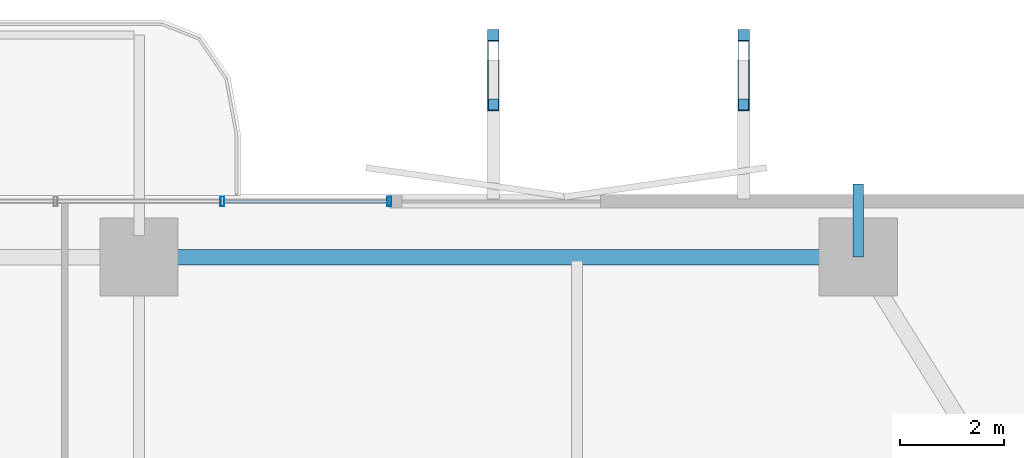
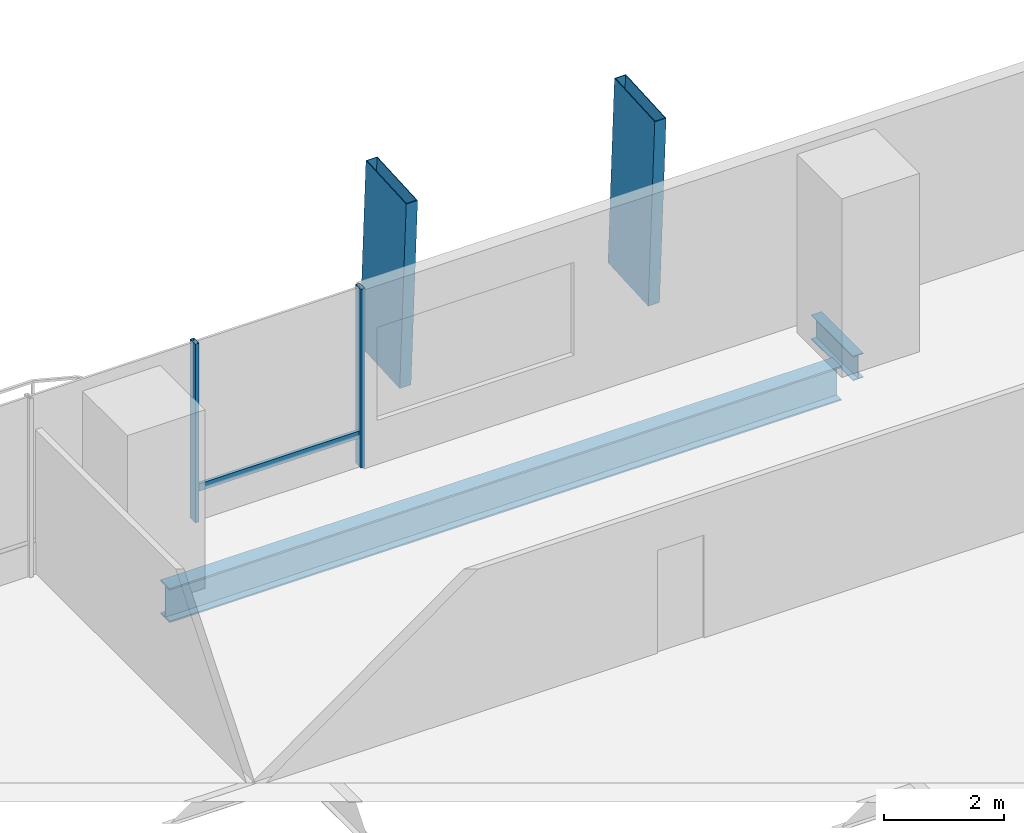
# One storey, part 15 of 24: 5 members, 2 beams, 1 element without a shape of its own.
"""IFC4 building model written with IfcOpenShell, lengths in metres."""

from ifc_helpers import new_model, si_unit, direction, frame, origin, origin_2d, place, context, subcontext, project, spatial, hollow_rectangle, i_section, extrude, material, layer, layer_set, material_profile, profile_set, type_object, element, aggregate, save


model = new_model("IFC4")

# Units and contexts
model_context = context("Model", 3, precision=1e-05, world=origin(), true_north=direction((0.0, 1.0)))
body_context = subcontext(model_context, "Body", "Model", "MODEL_VIEW")
ifc_project = project(units=[si_unit("LENGTHUNIT", "METRE"), si_unit("AREAUNIT", "SQUARE_METRE"), si_unit("VOLUMEUNIT", "CUBIC_METRE"), si_unit("PLANEANGLEUNIT", "RADIAN"), si_unit("MASSUNIT", "GRAM", prefix="KILO")], contexts=[model_context])

# Site, building, storey
site_placement = place(None, origin())
site = spatial("IfcSite", under=ifc_project, at=site_placement, CompositionType="ELEMENT")
building_placement = place(site_placement, origin())
building = spatial("IfcBuilding", under=site, at=building_placement, Name="Belovzor Exchange Tower", CompositionType="ELEMENT")
storey_placement = place(building_placement, frame((0.0, 0.0, 49.5)))
storey = spatial("IfcBuildingStorey", under=building, at=storey_placement, Name="L11", CompositionType="ELEMENT", Elevation=49.5)

# Members
ifc_material_1 = material(Name="Extruded Architectural Terracotta on Steel S355 Carrier", Category="masonry")
ifc_material_profile_1 = material_profile(ifc_material_1, hollow_rectangle(XDim=0.219970703125, YDim=1.35009765625, WallThickness=0.013916015625, at=origin_2d()))
ifc_profile_set_1 = profile_set([ifc_material_profile_1], Name="Extruded Architectural Terracotta on Steel S355 Carrier")
member_type_1 = type_object("IfcMemberType", Name="Base Arc Sweeping Terracotta Pylon Fin 1450", PredefinedType="USERDEFINED", material=ifc_profile_set_1)
for number, where, z_axis, x_axis, name in (
    (1, (35.60009765625, 59.197998046875, -0.25), (0.0, -0.056065425443, 0.998427097023), (1.0, 0.0, 0.0), "FIN-TC145 Terracotta Facade Fin L11 N3"),
    (2, (40.39990234375, 59.197998046875, -0.25), (0.0, -0.056065425443, 0.998427097023), (1.0, 0.0, 0.0), "FIN-TC145 Terracotta Facade Fin L11 N4"),
):
    element("IfcMember", number, at=place(storey_placement, frame(where, z_axis=z_axis, x_axis=x_axis)), inside=storey, type_object=member_type_1, Name=name, ObjectType="FIN", PredefinedType="USERDEFINED", context=body_context, shape_type="SweptSolid", body=[
        extrude(hollow_rectangle(XDim=0.219970703125, YDim=1.35009765625, WallThickness=0.013916015625, at=origin_2d()), origin(), (0.0, 0.0, 1.0), 3.906005859375),
    ])

# Beam
ifc_material_2 = material(Name="Steel S355", Category="steel")
ifc_material_profile_2 = material_profile(ifc_material_2, i_section(OverallWidth=0.199951171875, OverallDepth=0.5, WebThickness=0.01025390625, FlangeThickness=0.01611328125, at=origin_2d()))
ifc_profile_set_2 = profile_set([ifc_material_profile_2], Name="Steel S355")
beam_type_1 = type_object("IfcBeamType", Name="Planted Balcony Cantilever Beam IPE 500", PredefinedType="BEAM", material=ifc_profile_set_2)
beam_1_placement = place(storey_placement, frame((42.60009765625, 55.5, -0.5), z_axis=(0.0, 1.0, 0.0), x_axis=(-1.0, 0.0, 0.0)))
element("IfcBeam", 3, at=beam_1_placement, inside=storey, type_object=beam_type_1, Name="BC-500 Planted Balcony Cantilever Beam IPE 500", PredefinedType="BEAM", context=body_context, shape_type="SweptSolid", body=[
    extrude(i_section(OverallWidth=0.199951171875, OverallDepth=0.5, WebThickness=0.01025390625, FlangeThickness=0.01611328125, at=origin_2d()), origin(), (0.0, 0.0, 1.0), 1.39990234375),
])

# Curtain wall, members
ifc_material_3 = material(Name="Anodised Aluminium Framing", Category="aluminium")
ifc_layer = layer(ifc_material_3, 0.179931640625)
ifc_layer_set = layer_set([ifc_layer], Name="Anodised Aluminium Framing")
curtain_wall_type = type_object("IfcCurtainWallType", Name="Recessed Loggia Low-Iron Triple-Glazed Curtain Wall", PredefinedType="NOTDEFINED", material=ifc_layer_set)
curtain_wall_placement = place(storey_placement, origin())
curtain_wall = element("IfcCurtainWall", 4, at=curtain_wall_placement, inside=storey, type_object=curtain_wall_type, Name="CW3 Recessed Loggia Low-Iron Triple-Glazed Curtain Wall L11", PredefinedType="NOTDEFINED")
ifc_material_4 = material(Name="Steel S355", Category="steel")
ifc_material_profile_3 = material_profile(ifc_material_4, hollow_rectangle(XDim=0.074951171875, YDim=0.179931640625, WallThickness=0.0048828125, at=origin_2d()))
ifc_profile_set_3 = profile_set([ifc_material_profile_3], Name="Steel S355")
member_type_2 = type_object("IfcMemberType", Name="Thermally Broken Curtain Wall Mullion 180x75", PredefinedType="MULLION", material=ifc_profile_set_3)
member_1_placement = place(storey_placement, frame((30.39990234375, 56.570068359375, 0.0), z_axis=(0.0, 0.0, 1.0), x_axis=(1.0, 0.0, 0.0)))
member_1 = element("IfcMember", 5, at=member_1_placement, type_object=member_type_2, Name="CW-M180 Curtain Wall Mullion 3", PredefinedType="MULLION", context=body_context, shape_type="SweptSolid", body=[
    extrude(hollow_rectangle(XDim=0.074951171875, YDim=0.179931640625, WallThickness=0.0048828125, at=origin_2d()), origin(), (0.0, 0.0, 1.0), 3.64990234375),
])
member_2_placement = place(storey_placement, frame((33.60009765625, 56.570068359375, 0.0), z_axis=(0.0, 0.0, 1.0), x_axis=(1.0, 0.0, 0.0)))
member_2 = element("IfcMember", 6, at=member_2_placement, type_object=member_type_2, Name="CW-M180 Curtain Wall Mullion 4", PredefinedType="MULLION", context=body_context, shape_type="SweptSolid", body=[
    extrude(hollow_rectangle(XDim=0.074951171875, YDim=0.179931640625, WallThickness=0.0048828125, at=origin_2d()), origin(), (0.0, 0.0, 1.0), 3.64990234375),
])
ifc_material_5 = material(Name="Steel S355", Category="steel")
ifc_material_profile_4 = material_profile(ifc_material_5, hollow_rectangle(XDim=0.06005859375, YDim=0.14990234375, WallThickness=0.00390625, at=origin_2d()))
ifc_profile_set_4 = profile_set([ifc_material_profile_4], Name="Steel S355")
member_type_3 = type_object("IfcMemberType", Name="Thermally Broken Curtain Wall Transom 150x60", PredefinedType="USERDEFINED", material=ifc_profile_set_4)
member_3_placement = place(storey_placement, frame((30.407958984375, 56.570068359375, 0.64990234375), z_axis=(1.0, 0.0, 0.0), x_axis=(0.0, 1.0, 0.0)))
member_3 = element("IfcMember", 7, at=member_3_placement, type_object=member_type_3, Name="CW-T150 Curtain Wall Transom 3", ObjectType="TRANSOM", PredefinedType="USERDEFINED", context=body_context, shape_type="SweptSolid", body=[
    extrude(hollow_rectangle(XDim=0.06005859375, YDim=0.14990234375, WallThickness=0.00390625, at=origin_2d()), origin(), (0.0, 0.0, 1.0), 3.18408203125),
])
aggregate(curtain_wall, [member_1, member_2, member_3])

# Beam
ifc_material_6 = material(Name="Steel S355", Category="steel")
ifc_material_profile_5 = material_profile(ifc_material_6, i_section(OverallWidth=0.300048828125, OverallDepth=0.699951171875, WebThickness=0.01708984375, FlangeThickness=0.031982421875, at=origin_2d()))
ifc_profile_set_5 = profile_set([ifc_material_profile_5], Name="Steel S355")
beam_type_2 = type_object("IfcBeamType", Name="Zone 1 Primary Perimeter Girder HEB 700", PredefinedType="BEAM", material=ifc_profile_set_5)
beam_2_placement = place(storey_placement, frame((42.18798828125, 55.5, -0.60009765625), z_axis=(-1.0, 0.0, 0.0), x_axis=(0.0, -1.0, 0.0)))
element("IfcBeam", 8, at=beam_2_placement, inside=storey, type_object=beam_type_2, Name="FG-Z1 Zone 1 Primary Perimeter Girder HEB 700", PredefinedType="BEAM", context=body_context, shape_type="SweptSolid", body=[
    extrude(i_section(OverallWidth=0.300048828125, OverallDepth=0.699951171875, WebThickness=0.01708984375, FlangeThickness=0.031982421875, at=origin_2d()), origin(), (0.0, 0.0, 1.0), 12.97509765625),
])

save(model, "model.ifc")
